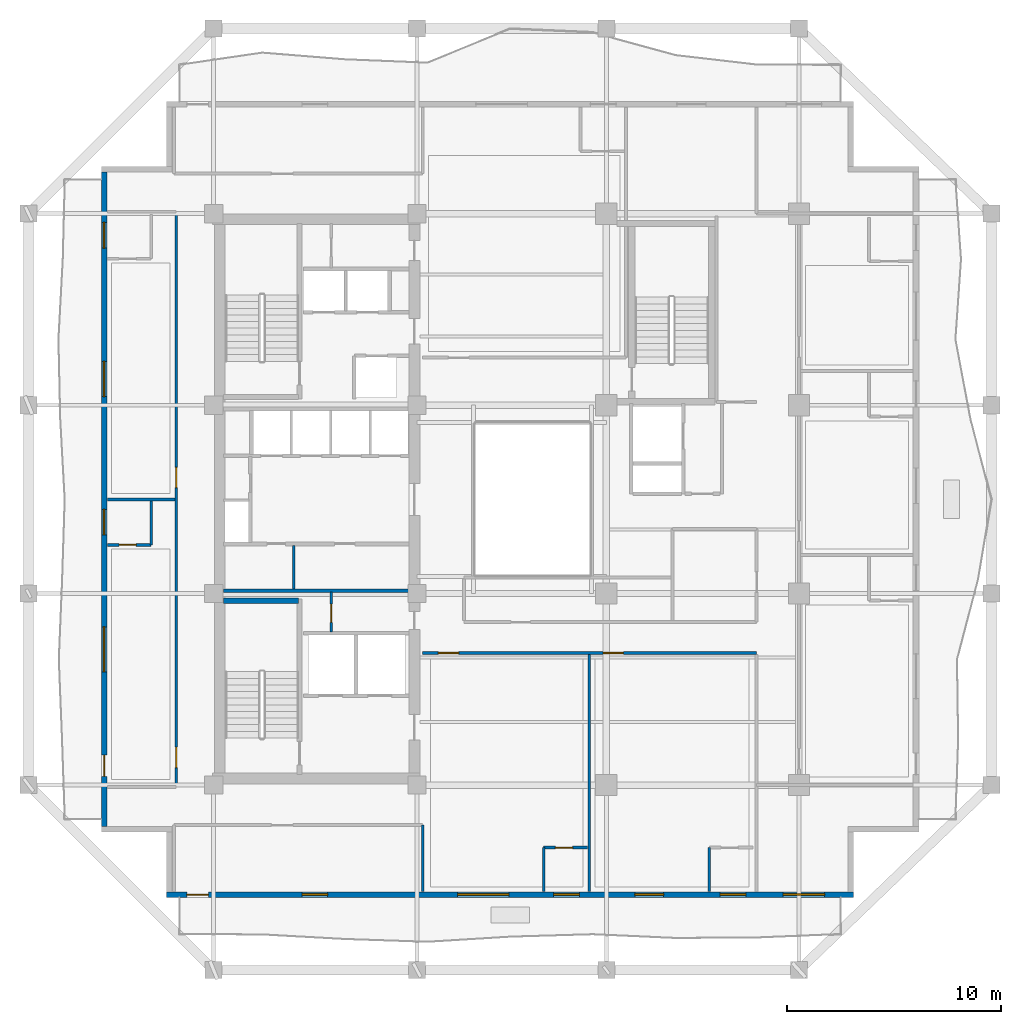
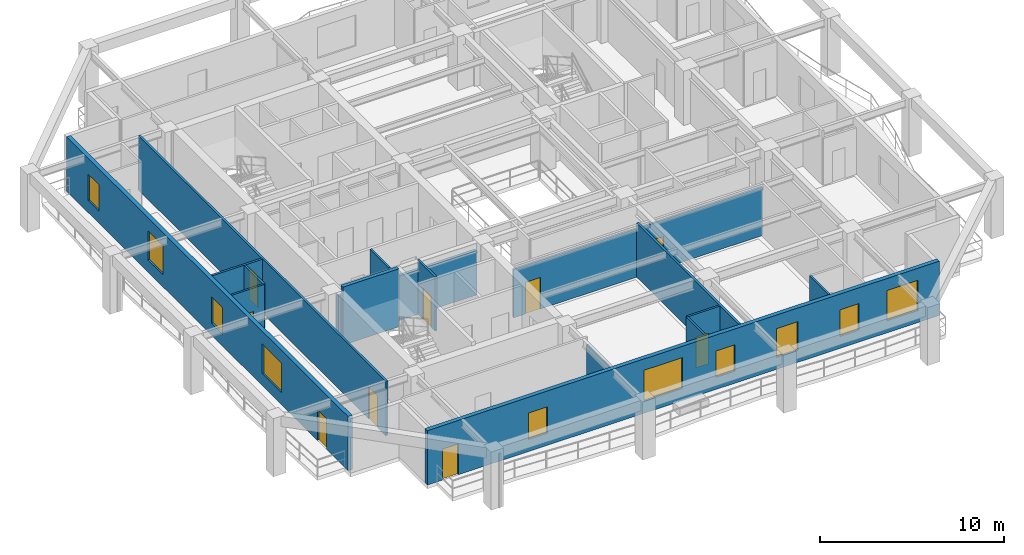
# One storey, part 3 of 11: 16 walls, 10 windows, 9 doors, 19 openings.
"""IFC4 building model written with IfcOpenShell, lengths in metres."""

from ifc_helpers import new_model, si_unit, direction, frame, frame_2d, origin, place, context, subcontext, project, spatial, rectangle, extrude, material, layer, layer_set, type_object, element, fill, save


model = new_model("IFC4")

# Units and contexts
model_context = context("Model", 3, precision=1e-05, world=origin(), true_north=direction((0.0, 1.0)))
body_context = subcontext(model_context, "Body", "Model", "MODEL_VIEW")
ifc_project = project(units=[si_unit("LENGTHUNIT", "METRE"), si_unit("AREAUNIT", "SQUARE_METRE"), si_unit("VOLUMEUNIT", "CUBIC_METRE"), si_unit("PLANEANGLEUNIT", "RADIAN"), si_unit("MASSUNIT", "GRAM", prefix="KILO")], contexts=[model_context])

# Site, building, storey
site_placement = place(None, origin())
site = spatial("IfcSite", under=ifc_project, at=site_placement, CompositionType="ELEMENT")
building_placement = place(site_placement, origin())
building = spatial("IfcBuilding", under=site, at=building_placement, Name="Kundavana Baori Tower", CompositionType="ELEMENT")
storey_placement = place(building_placement, frame((0.0, 0.0, 123.25)))
storey = spatial("IfcBuildingStorey", under=building, at=storey_placement, Name="L29", CompositionType="ELEMENT", Elevation=123.25)

# Wall
ifc_material_1 = material(Name="Concrete C50/60", Category="concrete")
ifc_layer_1 = layer(ifc_material_1, 0.39990234375, Name="WL-CORE-400")
ifc_layer_set_1 = layer_set([ifc_layer_1], Name="Concrete C50/60")
wall_type_1 = type_object("IfcWallType", Name="WL-CORE-400", PredefinedType="SHEAR", material=ifc_layer_set_1)
wall_1_placement = place(storey_placement, frame((15.89990234375, 23.860107421875, 0.0), z_axis=(0.0, 0.0, 1.0), x_axis=(1.0, 0.0, 0.0)))
element("IfcWall", 1, at=wall_1_placement, inside=storey, type_object=wall_type_1, Name="WL-L29-ST1-N", PredefinedType="SHEAR", context=body_context, shape_type="SweptSolid", body=[
    extrude(rectangle(XDim=3.52001953125, YDim=0.239990234375, at=frame_2d((1.760009765625, 0.0))), origin(), (0.0, 0.0, 1.0), 3.85009765625),
])

# Wall, openings, door, windows
ifc_material_2 = material(Name="Kiln-Fired Terracotta Brick-Slip Masonry on Concrete C40/50", Category="masonry")
ifc_layer_2 = layer(ifc_material_2, 0.260009765625, Name="WL-EXT-BRK-260")
ifc_layer_set_2 = layer_set([ifc_layer_2], Name="Kiln-Fired Terracotta Brick-Slip Masonry on Concrete C40/50")
wall_type_2 = type_object("IfcWallType", Name="WL-EXT-BRK-260", PredefinedType="SOLIDWALL", material=ifc_layer_set_2)
wall_2_placement = place(storey_placement, frame((13.25, 10.1298828125, 0.0), z_axis=(0.0, 0.0, 1.0), x_axis=(1.0, 0.0, 0.0)))
wall_2 = element("IfcWall", 2, at=wall_2_placement, inside=storey, type_object=wall_type_2, Name="L29 Exterior Insulated Facade Wall 01", PredefinedType="SOLIDWALL", context=body_context, shape_type="SweptSolid", body=[
    extrude(rectangle(XDim=32.10009765625, YDim=0.260009765625, at=frame_2d((16.050048828125, 0.0))), origin(), (0.0, 0.0, 1.0), 3.60009765625),
])
opening_1_placement = place(wall_2_placement, frame((0.949951171875, 0.0, 0.0)))
opening_1 = element("IfcOpeningElement", 3, at=opening_1_placement, cuts=wall_2, Name="Opening BD-1", PredefinedType="OPENING", context=body_context, shape_type="SweptSolid", body=[
    extrude(rectangle(XDim=1.0, YDim=2.050048828125, at=frame_2d((0.5, 1.02490234375))), frame((0.0, 0.14013671875, 0.0), z_axis=(0.0, -1.0, 0.0), x_axis=(1.0, 0.0, 0.0)), (0.0, 0.0, 1.0), 0.280029296875),
])
opening_2_placement = place(wall_2_placement, frame((6.330078125, 0.0, 0.800048828125)))
opening_2 = element("IfcOpeningElement", 4, at=opening_2_placement, cuts=wall_2, Name="Opening W-03", PredefinedType="OPENING", context=body_context, shape_type="SweptSolid", body=[
    extrude(rectangle(XDim=1.199951171875, YDim=1.75, at=frame_2d((0.60009765625, 0.875))), frame((0.0, 0.14013671875, 0.0), z_axis=(0.0, -1.0, 0.0), x_axis=(1.0, 0.0, 0.0)), (0.0, 0.0, 1.0), 0.280029296875),
])
opening_3_placement = place(wall_2_placement, frame((13.594970703125, 0.0, 0.800048828125)))
opening_3 = element("IfcOpeningElement", 5, at=opening_3_placement, cuts=wall_2, Name="Opening W-04", PredefinedType="OPENING", context=body_context, shape_type="SweptSolid", body=[
    extrude(rectangle(XDim=2.39990234375, YDim=2.050048828125, at=frame_2d((1.199951171875, 1.02490234375))), frame((0.0, 0.14013671875, 0.0), z_axis=(0.0, -1.0, 0.0), x_axis=(1.0, 0.0, 0.0)), (0.0, 0.0, 1.0), 0.280029296875),
])
opening_4_placement = place(wall_2_placement, frame((18.0849609375, 0.0, 0.800048828125)))
opening_4 = element("IfcOpeningElement", 6, at=opening_4_placement, cuts=wall_2, Name="Opening W-03", PredefinedType="OPENING", context=body_context, shape_type="SweptSolid", body=[
    extrude(rectangle(XDim=1.199951171875, YDim=1.75, at=frame_2d((0.60009765625, 0.875))), frame((0.0, 0.14013671875, 0.0), z_axis=(0.0, -1.0, 0.0), x_axis=(1.0, 0.0, 0.0)), (0.0, 0.0, 1.0), 0.280029296875),
])
opening_5_placement = place(wall_2_placement, frame((21.8798828125, 0.0, 0.800048828125)))
opening_5 = element("IfcOpeningElement", 7, at=opening_5_placement, cuts=wall_2, Name="Opening W-07", PredefinedType="OPENING", context=body_context, shape_type="SweptSolid", body=[
    extrude(rectangle(XDim=1.35009765625, YDim=1.89990234375, at=frame_2d((0.675048828125, 0.949951171875))), frame((0.0, 0.14013671875, 0.0), z_axis=(0.0, -1.0, 0.0), x_axis=(1.0, 0.0, 0.0)), (0.0, 0.0, 1.0), 0.280029296875),
])
opening_6_placement = place(wall_2_placement, frame((25.864990234375, 0.0, 0.800048828125)))
opening_6 = element("IfcOpeningElement", 8, at=opening_6_placement, cuts=wall_2, Name="Opening W-03", PredefinedType="OPENING", context=body_context, shape_type="SweptSolid", body=[
    extrude(rectangle(XDim=1.199951171875, YDim=1.75, at=frame_2d((0.60009765625, 0.875))), frame((0.0, 0.14013671875, 0.0), z_axis=(0.0, -1.0, 0.0), x_axis=(1.0, 0.0, 0.0)), (0.0, 0.0, 1.0), 0.280029296875),
])
opening_7_placement = place(wall_2_placement, frame((28.804931640625, 0.0, 0.800048828125)))
opening_7 = element("IfcOpeningElement", 9, at=opening_7_placement, cuts=wall_2, Name="Opening W-09", PredefinedType="OPENING", context=body_context, shape_type="SweptSolid", body=[
    extrude(rectangle(XDim=1.949951171875, YDim=2.0, at=frame_2d((0.97509765625, 1.0))), frame((0.0, 0.14013671875, 0.0), z_axis=(0.0, -1.0, 0.0), x_axis=(1.0, 0.0, 0.0)), (0.0, 0.0, 1.0), 0.280029296875),
])
ifc_material_3 = material(Name="Architectural Patinated Bronze Metalwork")
door_type_1 = type_object("IfcDoorType", Name="DR-EXT-LOG-1000", OperationType="NOTDEFINED", PredefinedType="DOOR", material=ifc_material_3)
door_1_placement = place(opening_1_placement, frame((1.0, 0.0, 0.0), z_axis=(0.0, 0.0, 1.0), x_axis=(-1.0, 0.0, 0.0)))
door_1 = element("IfcDoor", 10, at=door_1_placement, inside=storey, type_object=door_type_1, Name="L29 Loggia Balcony Access Door S", OperationType="SINGLE_SWING_LEFT", OverallHeight=2.050048828125, OverallWidth=1.0, PredefinedType="DOOR", context=body_context, shape_type="SweptSolid", body=[
    extrude(rectangle(XDim=1.0, YDim=2.050048828125, at=frame_2d((0.5, 1.02490234375))), frame((0.0, 0.02490234375, 0.0), z_axis=(0.0, -1.0, 0.0), x_axis=(1.0, 0.0, 0.0)), (0.0, 0.0, 1.0), 0.050048828125),
])
fill(opening_1, door_1)
ifc_material_4 = material(Name="Double-Glazed Solar-Control Low-E Insulated Glass", Category="glass")
window_type_1 = type_object("IfcWindowType", Name="WIN-LOG-1200x1750", PartitioningType="SINGLE_PANEL", PredefinedType="WINDOW", material=ifc_material_4)
window_1_placement = place(opening_2_placement, origin())
window_1 = element("IfcWindow", 11, at=window_1_placement, inside=storey, type_object=window_type_1, Name="L29 Recessed Loggia Window S-1", OverallHeight=1.75, OverallWidth=1.199951171875, PartitioningType="SINGLE_PANEL", PredefinedType="WINDOW", context=body_context, shape_type="SweptSolid", body=[
    extrude(rectangle(XDim=1.199951171875, YDim=1.75, at=frame_2d((0.60009765625, 0.875))), frame((0.0, 0.030029296875, 0.0), z_axis=(0.0, -1.0, 0.0), x_axis=(1.0, 0.0, 0.0)), (0.0, 0.0, 1.0), 0.06005859375),
])
fill(opening_2, window_1)
window_2_placement = place(opening_4_placement, origin())
window_2 = element("IfcWindow", 12, at=window_2_placement, inside=storey, type_object=window_type_1, Name="L29 Recessed Loggia Window S-3", OverallHeight=1.75, OverallWidth=1.199951171875, PartitioningType="SINGLE_PANEL", PredefinedType="WINDOW", context=body_context, shape_type="SweptSolid", body=[
    extrude(rectangle(XDim=1.199951171875, YDim=1.75, at=frame_2d((0.60009765625, 0.875))), frame((0.0, 0.030029296875, 0.0), z_axis=(0.0, -1.0, 0.0), x_axis=(1.0, 0.0, 0.0)), (0.0, 0.0, 1.0), 0.06005859375),
])
fill(opening_4, window_2)
window_3_placement = place(opening_6_placement, origin())
window_3 = element("IfcWindow", 13, at=window_3_placement, inside=storey, type_object=window_type_1, Name="L29 Recessed Loggia Window S-5", OverallHeight=1.75, OverallWidth=1.199951171875, PartitioningType="SINGLE_PANEL", PredefinedType="WINDOW", context=body_context, shape_type="SweptSolid", body=[
    extrude(rectangle(XDim=1.199951171875, YDim=1.75, at=frame_2d((0.60009765625, 0.875))), frame((0.0, 0.030029296875, 0.0), z_axis=(0.0, -1.0, 0.0), x_axis=(1.0, 0.0, 0.0)), (0.0, 0.0, 1.0), 0.06005859375),
])
fill(opening_6, window_3)
ifc_material_5 = material(Name="Double-Glazed Solar-Control Low-E Insulated Glass", Category="glass")
window_type_2 = type_object("IfcWindowType", Name="WIN-LOG-1350x1900", PartitioningType="SINGLE_PANEL", PredefinedType="WINDOW", material=ifc_material_5)
window_4_placement = place(opening_5_placement, origin())
window_4 = element("IfcWindow", 14, at=window_4_placement, inside=storey, type_object=window_type_2, Name="L29 Recessed Loggia Window S-4", OverallHeight=1.89990234375, OverallWidth=1.35009765625, PartitioningType="SINGLE_PANEL", PredefinedType="WINDOW", context=body_context, shape_type="SweptSolid", body=[
    extrude(rectangle(XDim=1.35009765625, YDim=1.89990234375, at=frame_2d((0.675048828125, 0.949951171875))), frame((0.0, 0.030029296875, 0.0), z_axis=(0.0, -1.0, 0.0), x_axis=(1.0, 0.0, 0.0)), (0.0, 0.0, 1.0), 0.06005859375),
])
fill(opening_5, window_4)
ifc_material_6 = material(Name="Double-Glazed Solar-Control Low-E Insulated Glass", Category="glass")
window_type_3 = type_object("IfcWindowType", Name="WIN-LOG-1950x2000", PartitioningType="SINGLE_PANEL", PredefinedType="WINDOW", material=ifc_material_6)
window_5_placement = place(opening_7_placement, origin())
window_5 = element("IfcWindow", 15, at=window_5_placement, inside=storey, type_object=window_type_3, Name="L29 Recessed Loggia Window S-6", OverallHeight=2.0, OverallWidth=1.949951171875, PartitioningType="SINGLE_PANEL", PredefinedType="WINDOW", context=body_context, shape_type="SweptSolid", body=[
    extrude(rectangle(XDim=1.949951171875, YDim=2.0, at=frame_2d((0.97509765625, 1.0))), frame((0.0, 0.030029296875, 0.0), z_axis=(0.0, -1.0, 0.0), x_axis=(1.0, 0.0, 0.0)), (0.0, 0.0, 1.0), 0.06005859375),
])
fill(opening_7, window_5)
ifc_material_7 = material(Name="Double-Glazed Solar-Control Low-E Insulated Glass", Category="glass")
window_type_4 = type_object("IfcWindowType", Name="WIN-LOG-2400x2050", PartitioningType="SINGLE_PANEL", PredefinedType="WINDOW", material=ifc_material_7)
window_6_placement = place(opening_3_placement, origin())
window_6 = element("IfcWindow", 16, at=window_6_placement, inside=storey, type_object=window_type_4, Name="L29 Recessed Loggia Window S-2", OverallHeight=2.050048828125, OverallWidth=2.39990234375, PartitioningType="SINGLE_PANEL", PredefinedType="WINDOW", context=body_context, shape_type="SweptSolid", body=[
    extrude(rectangle(XDim=2.39990234375, YDim=2.050048828125, at=frame_2d((1.199951171875, 1.02490234375))), frame((0.0, 0.030029296875, 0.0), z_axis=(0.0, -1.0, 0.0), x_axis=(1.0, 0.0, 0.0)), (0.0, 0.0, 1.0), 0.06005859375),
])
fill(opening_3, window_6)

wall_3_placement = place(storey_placement, frame((10.330078125, 43.889892578125, 0.0), z_axis=(0.0, 0.0, 1.0), x_axis=(0.0, -1.0, 0.0)))
wall_3 = element("IfcWall", 17, at=wall_3_placement, inside=storey, type_object=wall_type_2, Name="L29 Exterior Insulated Facade Wall 10", PredefinedType="SOLIDWALL", context=body_context, shape_type="SweptSolid", body=[
    extrude(rectangle(XDim=30.579833984375, YDim=0.260009765625, at=frame_2d((15.2900390625, 0.0))), origin(), (0.0, 0.0, 1.0), 3.60009765625),
])
opening_8_placement = place(wall_3_placement, frame((27.239990234375, 0.0, 0.0)))
opening_8 = element("IfcOpeningElement", 18, at=opening_8_placement, cuts=wall_3, Name="Opening BD-1", PredefinedType="OPENING", context=body_context, shape_type="SweptSolid", body=[
    extrude(rectangle(XDim=1.0, YDim=2.050048828125, at=frame_2d((0.5, 1.02490234375))), frame((0.0, 0.14013671875, 0.0), z_axis=(0.0, -1.0, 0.0), x_axis=(1.0, 0.0, 0.0)), (0.0, 0.0, 1.0), 0.280029296875),
])
opening_9_placement = place(wall_3_placement, frame((21.25, 0.0, 0.800048828125)))
opening_9 = element("IfcOpeningElement", 19, at=opening_9_placement, cuts=wall_3, Name="Opening W-05", PredefinedType="OPENING", context=body_context, shape_type="SweptSolid", body=[
    extrude(rectangle(XDim=2.10009765625, YDim=1.949951171875, at=frame_2d((1.050048828125, 0.97509765625))), frame((0.0, 0.14013671875, 0.0), z_axis=(0.0, -1.0, 0.0), x_axis=(1.0, 0.0, 0.0)), (0.0, 0.0, 1.0), 0.280029296875),
])
opening_10_placement = place(wall_3_placement, frame((15.7548828125, 0.0, 0.800048828125)))
opening_10 = element("IfcOpeningElement", 20, at=opening_10_placement, cuts=wall_3, Name="Opening W-03", PredefinedType="OPENING", context=body_context, shape_type="SweptSolid", body=[
    extrude(rectangle(XDim=1.199951171875, YDim=1.75, at=frame_2d((0.60009765625, 0.875))), frame((0.0, 0.14013671875, 0.0), z_axis=(0.0, -1.0, 0.0), x_axis=(1.0, 0.0, 0.0)), (0.0, 0.0, 1.0), 0.280029296875),
])
opening_11_placement = place(wall_3_placement, frame((8.840087890625, 0.0, 0.800048828125)))
opening_11 = element("IfcOpeningElement", 21, at=opening_11_placement, cuts=wall_3, Name="Opening W-08", PredefinedType="OPENING", context=body_context, shape_type="SweptSolid", body=[
    extrude(rectangle(XDim=1.64990234375, YDim=1.949951171875, at=frame_2d((0.824951171875, 0.97509765625))), frame((0.0, 0.14013671875, 0.0), z_axis=(0.0, -1.0, 0.0), x_axis=(1.0, 0.0, 0.0)), (0.0, 0.0, 1.0), 0.280029296875),
])
opening_12_placement = place(wall_3_placement, frame((2.344970703125, 0.0, 0.800048828125)))
opening_12 = element("IfcOpeningElement", 22, at=opening_12_placement, cuts=wall_3, Name="Opening W-03", PredefinedType="OPENING", context=body_context, shape_type="SweptSolid", body=[
    extrude(rectangle(XDim=1.199951171875, YDim=1.75, at=frame_2d((0.60009765625, 0.875))), frame((0.0, 0.14013671875, 0.0), z_axis=(0.0, -1.0, 0.0), x_axis=(1.0, 0.0, 0.0)), (0.0, 0.0, 1.0), 0.280029296875),
])
door_2_placement = place(opening_8_placement, frame((1.0, 0.0, 0.0), z_axis=(0.0, 0.0, 1.0), x_axis=(-1.0, 0.0, 0.0)))
door_2 = element("IfcDoor", 23, at=door_2_placement, inside=storey, type_object=door_type_1, Name="L29 Loggia Balcony Access Door W", OperationType="SINGLE_SWING_RIGHT", OverallHeight=2.050048828125, OverallWidth=1.0, PredefinedType="DOOR", context=body_context, shape_type="SweptSolid", body=[
    extrude(rectangle(XDim=1.0, YDim=2.050048828125, at=frame_2d((0.5, 1.02490234375))), frame((0.0, 0.02490234375, 0.0), z_axis=(0.0, -1.0, 0.0), x_axis=(1.0, 0.0, 0.0)), (0.0, 0.0, 1.0), 0.050048828125),
])
fill(opening_8, door_2)
window_7_placement = place(opening_10_placement, origin())
window_7 = element("IfcWindow", 24, at=window_7_placement, inside=storey, type_object=window_type_1, Name="L29 Recessed Loggia Window W-2", OverallHeight=1.75, OverallWidth=1.199951171875, PartitioningType="SINGLE_PANEL", PredefinedType="WINDOW", context=body_context, shape_type="SweptSolid", body=[
    extrude(rectangle(XDim=1.199951171875, YDim=1.75, at=frame_2d((0.60009765625, 0.875))), frame((0.0, 0.030029296875, 0.0), z_axis=(0.0, -1.0, 0.0), x_axis=(1.0, 0.0, 0.0)), (0.0, 0.0, 1.0), 0.06005859375),
])
fill(opening_10, window_7)
window_8_placement = place(opening_12_placement, origin())
window_8 = element("IfcWindow", 25, at=window_8_placement, inside=storey, type_object=window_type_1, Name="L29 Recessed Loggia Window W-4", OverallHeight=1.75, OverallWidth=1.199951171875, PartitioningType="SINGLE_PANEL", PredefinedType="WINDOW", context=body_context, shape_type="SweptSolid", body=[
    extrude(rectangle(XDim=1.199951171875, YDim=1.75, at=frame_2d((0.60009765625, 0.875))), frame((0.0, 0.030029296875, 0.0), z_axis=(0.0, -1.0, 0.0), x_axis=(1.0, 0.0, 0.0)), (0.0, 0.0, 1.0), 0.06005859375),
])
fill(opening_12, window_8)
ifc_material_8 = material(Name="Double-Glazed Solar-Control Low-E Insulated Glass", Category="glass")
window_type_5 = type_object("IfcWindowType", Name="WIN-LOG-1650x1950", PartitioningType="SINGLE_PANEL", PredefinedType="WINDOW", material=ifc_material_8)
window_9_placement = place(opening_11_placement, origin())
window_9 = element("IfcWindow", 26, at=window_9_placement, inside=storey, type_object=window_type_5, Name="L29 Recessed Loggia Window W-3", OverallHeight=1.949951171875, OverallWidth=1.64990234375, PartitioningType="SINGLE_PANEL", PredefinedType="WINDOW", context=body_context, shape_type="SweptSolid", body=[
    extrude(rectangle(XDim=1.64990234375, YDim=1.949951171875, at=frame_2d((0.824951171875, 0.97509765625))), frame((0.0, 0.030029296875, 0.0), z_axis=(0.0, -1.0, 0.0), x_axis=(1.0, 0.0, 0.0)), (0.0, 0.0, 1.0), 0.06005859375),
])
fill(opening_11, window_9)
ifc_material_9 = material(Name="Double-Glazed Solar-Control Low-E Insulated Glass", Category="glass")
window_type_6 = type_object("IfcWindowType", Name="WIN-LOG-2100x1950", PartitioningType="SINGLE_PANEL", PredefinedType="WINDOW", material=ifc_material_9)
window_10_placement = place(opening_9_placement, origin())
window_10 = element("IfcWindow", 27, at=window_10_placement, inside=storey, type_object=window_type_6, Name="L29 Recessed Loggia Window W-1", OverallHeight=1.949951171875, OverallWidth=2.10009765625, PartitioningType="SINGLE_PANEL", PredefinedType="WINDOW", context=body_context, shape_type="SweptSolid", body=[
    extrude(rectangle(XDim=2.10009765625, YDim=1.949951171875, at=frame_2d((1.050048828125, 0.97509765625))), frame((0.0, 0.030029296875, 0.0), z_axis=(0.0, -1.0, 0.0), x_axis=(1.0, 0.0, 0.0)), (0.0, 0.0, 1.0), 0.06005859375),
])
fill(opening_9, window_10)

# Wall, opening, door
ifc_material_10 = material(Name="Acoustic Gypsum Plasterboard on Galvanised Steel Studs", Category="steel")
ifc_layer_3 = layer(ifc_material_10, 0.1201171875, Name="WL-PART-120")
ifc_layer_set_3 = layer_set([ifc_layer_3], Name="Acoustic Gypsum Plasterboard on Galvanised Steel Studs")
wall_type_3 = type_object("IfcWallType", Name="WL-PART-120", PredefinedType="PARTITIONING", material=ifc_layer_set_3)
wall_4_placement = place(storey_placement, frame((20.949951171875, 22.39990234375, 0.0), z_axis=(0.0, 0.0, 1.0), x_axis=(0.0, 1.0, 0.0)))
wall_4 = element("IfcWall", 28, at=wall_4_placement, inside=storey, type_object=wall_type_3, Name="WL-L29-CSMK-D2", PredefinedType="PARTITIONING", context=body_context, shape_type="SweptSolid", body=[
    extrude(rectangle(XDim=1.880126953125, YDim=0.1201171875, at=frame_2d((0.93994140625, 0.0))), origin(), (0.0, 0.0, 1.0), 3.60009765625),
])
opening_13_placement = place(wall_4_placement, frame((0.449951171875, 0.0, 0.0)))
opening_13 = element("IfcOpeningElement", 29, at=opening_13_placement, cuts=wall_4, Name="Opening FD-085", PredefinedType="OPENING", context=body_context, shape_type="SweptSolid", body=[
    extrude(rectangle(XDim=0.85009765625, YDim=2.06005859375, at=frame_2d((0.425048828125, 1.030029296875))), frame((0.0, 0.070068359375, 0.0), z_axis=(0.0, -1.0, 0.0), x_axis=(1.0, 0.0, 0.0)), (0.0, 0.0, 1.0), 0.14013671875),
])
ifc_material_11 = material(Name="Galvanised Steel Fire-Rated Door Leaf", Category="steel")
door_type_2 = type_object("IfcDoorType", Name="DR-FD60-850", OperationType="NOTDEFINED", PredefinedType="DOOR", material=ifc_material_11)
door_3_placement = place(opening_13_placement, origin())
door_3 = element("IfcDoor", 30, at=door_3_placement, inside=storey, type_object=door_type_2, Name="DR-L29-CSMK1", OperationType="SINGLE_SWING_RIGHT", OverallHeight=2.06005859375, OverallWidth=0.85009765625, PredefinedType="DOOR", context=body_context, shape_type="SweptSolid", body=[
    extrude(rectangle(XDim=0.85009765625, YDim=2.06005859375, at=frame_2d((0.425048828125, 1.030029296875))), frame((0.0, 0.02490234375, 0.0), z_axis=(0.0, -1.0, 0.0), x_axis=(1.0, 0.0, 0.0)), (0.0, 0.0, 1.0), 0.050048828125),
])
fill(opening_13, door_3)

# Wall
wall_5_placement = place(storey_placement, frame((19.199951171875, 24.419921875, 0.0), z_axis=(0.0, 0.0, 1.0), x_axis=(0.0, 1.0, 0.0)))
element("IfcWall", 31, at=wall_5_placement, inside=storey, type_object=wall_type_3, Name="WL-L29-FRLOW-DIV", PredefinedType="PARTITIONING", context=body_context, shape_type="SweptSolid", body=[
    extrude(rectangle(XDim=2.02001953125, YDim=0.1201171875, at=frame_2d((1.010009765625, 0.0))), origin(), (0.0, 0.0, 1.0), 3.60009765625),
])

# Wall, openings, doors
ifc_material_12 = material(Name="Acoustic Gypsum Plasterboard on Galvanised Steel Studs", Category="steel")
ifc_layer_4 = layer(ifc_material_12, 0.135009765625, Name="WL-PART-135")
ifc_layer_set_4 = layer_set([ifc_layer_4], Name="Acoustic Gypsum Plasterboard on Galvanised Steel Studs")
wall_type_4 = type_object("IfcWallType", Name="WL-PART-135", PredefinedType="PARTITIONING", material=ifc_layer_set_4)
wall_6_placement = place(storey_placement, frame((25.219970703125, 21.419921875, 0.0), z_axis=(0.0, 0.0, 1.0), x_axis=(1.0, 0.0, 0.0)))
wall_6 = element("IfcWall", 32, at=wall_6_placement, inside=storey, type_object=wall_type_4, Name="WL-L29-HS", PredefinedType="PARTITIONING", context=body_context, shape_type="SweptSolid", body=[
    extrude(rectangle(XDim=15.60009765625, YDim=0.135009765625, at=frame_2d((7.800048828125, 0.0))), origin(), (0.0, 0.0, 1.0), 3.199951171875),
])
opening_14_placement = place(wall_6_placement, frame((0.72998046875, 0.0, 0.0)))
opening_14 = element("IfcOpeningElement", 33, at=opening_14_placement, cuts=wall_6, Name="Opening FD-095", PredefinedType="OPENING", context=body_context, shape_type="SweptSolid", body=[
    extrude(rectangle(XDim=0.949951171875, YDim=2.10009765625, at=frame_2d((0.47509765625, 1.050048828125))), frame((0.0, 0.07763671875, 0.0), z_axis=(0.0, -1.0, 0.0), x_axis=(1.0, 0.0, 0.0)), (0.0, 0.0, 1.0), 0.155029296875),
])
opening_15_placement = place(wall_6_placement, frame((8.429931640625, 0.0, 0.0)))
opening_15 = element("IfcOpeningElement", 34, at=opening_15_placement, cuts=wall_6, Name="Opening FD-095", PredefinedType="OPENING", context=body_context, shape_type="SweptSolid", body=[
    extrude(rectangle(XDim=0.949951171875, YDim=2.10009765625, at=frame_2d((0.47509765625, 1.050048828125))), frame((0.0, 0.07763671875, 0.0), z_axis=(0.0, -1.0, 0.0), x_axis=(1.0, 0.0, 0.0)), (0.0, 0.0, 1.0), 0.155029296875),
])
ifc_material_13 = material(Name="Engineered Teak Fire-Rated Timber Door Leaf", Category="wood")
door_type_3 = type_object("IfcDoorType", Name="DR-FD60-950", OperationType="NOTDEFINED", PredefinedType="DOOR", material=ifc_material_13)
door_4_placement = place(opening_14_placement, frame((0.949951171875, 0.0, 0.0), z_axis=(0.0, 0.0, 1.0), x_axis=(-1.0, 0.0, 0.0)))
door_4 = element("IfcDoor", 35, at=door_4_placement, inside=storey, type_object=door_type_3, Name="DR-L29-HK-S1-ENT", OperationType="SINGLE_SWING_RIGHT", OverallHeight=2.10009765625, OverallWidth=0.949951171875, PredefinedType="DOOR", context=body_context, shape_type="SweptSolid", body=[
    extrude(rectangle(XDim=0.949951171875, YDim=2.10009765625, at=frame_2d((0.47509765625, 1.050048828125))), frame((0.0, 0.02490234375, 0.0), z_axis=(0.0, -1.0, 0.0), x_axis=(1.0, 0.0, 0.0)), (0.0, 0.0, 1.0), 0.050048828125),
])
fill(opening_14, door_4)
door_5_placement = place(opening_15_placement, frame((0.949951171875, 0.0, 0.0), z_axis=(0.0, 0.0, 1.0), x_axis=(-1.0, 0.0, 0.0)))
door_5 = element("IfcDoor", 36, at=door_5_placement, inside=storey, type_object=door_type_3, Name="DR-L29-HK-S2-ENT", OperationType="SINGLE_SWING_RIGHT", OverallHeight=2.10009765625, OverallWidth=0.949951171875, PredefinedType="DOOR", context=body_context, shape_type="SweptSolid", body=[
    extrude(rectangle(XDim=0.949951171875, YDim=2.10009765625, at=frame_2d((0.47509765625, 1.050048828125))), frame((0.0, 0.02490234375, 0.0), z_axis=(0.0, -1.0, 0.0), x_axis=(1.0, 0.0, 0.0)), (0.0, 0.0, 1.0), 0.050048828125),
])
fill(opening_15, door_5)

wall_7_placement = place(storey_placement, frame((13.699951171875, 15.159912109375, 0.0), z_axis=(0.0, 0.0, 1.0), x_axis=(0.0, 1.0, 0.0)))
wall_7 = element("IfcWall", 37, at=wall_7_placement, inside=storey, type_object=wall_type_4, Name="WL-L29-HW", PredefinedType="PARTITIONING", context=body_context, shape_type="SweptSolid", body=[
    extrude(rectangle(XDim=26.880126953125, YDim=0.135009765625, at=frame_2d((13.43994140625, 0.0))), origin(), (0.0, 0.0, 1.0), 3.60009765625),
])
opening_16_placement = place(wall_7_placement, frame((0.909912109375, 0.0, 0.0)))
opening_16 = element("IfcOpeningElement", 38, at=opening_16_placement, cuts=wall_7, Name="Opening FD-095", PredefinedType="OPENING", context=body_context, shape_type="SweptSolid", body=[
    extrude(rectangle(XDim=0.949951171875, YDim=2.10009765625, at=frame_2d((0.47509765625, 1.050048828125))), frame((0.0, 0.07763671875, 0.0), z_axis=(0.0, -1.0, 0.0), x_axis=(1.0, 0.0, 0.0)), (0.0, 0.0, 1.0), 0.155029296875),
])
opening_17_placement = place(wall_7_placement, frame((13.989990234375, 0.0, 0.0)))
opening_17 = element("IfcOpeningElement", 39, at=opening_17_placement, cuts=wall_7, Name="Opening FD-095", PredefinedType="OPENING", context=body_context, shape_type="SweptSolid", body=[
    extrude(rectangle(XDim=0.949951171875, YDim=2.10009765625, at=frame_2d((0.47509765625, 1.050048828125))), frame((0.0, 0.07763671875, 0.0), z_axis=(0.0, -1.0, 0.0), x_axis=(1.0, 0.0, 0.0)), (0.0, 0.0, 1.0), 0.155029296875),
])
door_6_placement = place(opening_16_placement, origin())
door_6 = element("IfcDoor", 40, at=door_6_placement, inside=storey, type_object=door_type_3, Name="DR-L29-HK-W1-ENT", OperationType="SINGLE_SWING_LEFT", OverallHeight=2.10009765625, OverallWidth=0.949951171875, PredefinedType="DOOR", context=body_context, shape_type="SweptSolid", body=[
    extrude(rectangle(XDim=0.949951171875, YDim=2.10009765625, at=frame_2d((0.47509765625, 1.050048828125))), frame((0.0, 0.02490234375, 0.0), z_axis=(0.0, -1.0, 0.0), x_axis=(1.0, 0.0, 0.0)), (0.0, 0.0, 1.0), 0.050048828125),
])
fill(opening_16, door_6)
door_7_placement = place(opening_17_placement, origin())
door_7 = element("IfcDoor", 41, at=door_7_placement, inside=storey, type_object=door_type_3, Name="DR-L29-HK-W2-ENT", OperationType="SINGLE_SWING_LEFT", OverallHeight=2.10009765625, OverallWidth=0.949951171875, PredefinedType="DOOR", context=body_context, shape_type="SweptSolid", body=[
    extrude(rectangle(XDim=0.949951171875, YDim=2.10009765625, at=frame_2d((0.47509765625, 1.050048828125))), frame((0.0, 0.02490234375, 0.0), z_axis=(0.0, -1.0, 0.0), x_axis=(1.0, 0.0, 0.0)), (0.0, 0.0, 1.0), 0.050048828125),
])
fill(opening_17, door_7)

# Walls
wall_8_placement = place(storey_placement, frame((25.219970703125, 10.280029296875, 0.0), z_axis=(0.0, 0.0, 1.0), x_axis=(0.0, 1.0, 0.0)))
element("IfcWall", 42, at=wall_8_placement, inside=storey, type_object=wall_type_4, Name="WL-L29-HSCE", PredefinedType="PARTITIONING", context=body_context, shape_type="SweptSolid", body=[
    extrude(rectangle(XDim=3.099853515625, YDim=0.135009765625, at=frame_2d((1.5498046875, 0.0))), origin(), (0.0, 0.0, 1.0), 3.10009765625),
])
wall_9_placement = place(storey_placement, frame((10.47998046875, 28.60009765625, 0.0), z_axis=(0.0, 0.0, 1.0), x_axis=(1.0, 0.0, 0.0)))
element("IfcWall", 43, at=wall_9_placement, inside=storey, type_object=wall_type_4, Name="WL-L29-HWD1", PredefinedType="PARTITIONING", context=body_context, shape_type="SweptSolid", body=[
    extrude(rectangle(XDim=3.159912109375, YDim=0.135009765625, at=frame_2d((1.580078125, 0.0))), origin(), (0.0, 0.0, 1.0), 3.60009765625),
])
wall_10_placement = place(storey_placement, frame((33.0, 10.280029296875, 0.0), z_axis=(0.0, 0.0, 1.0), x_axis=(0.0, 1.0, 0.0)))
element("IfcWall", 44, at=wall_10_placement, inside=storey, type_object=wall_type_4, Name="WL-L29-HSD1", PredefinedType="PARTITIONING", context=body_context, shape_type="SweptSolid", body=[
    extrude(rectangle(XDim=11.080078125, YDim=0.135009765625, at=frame_2d((5.5400390625, 0.0))), origin(), (0.0, 0.0, 1.0), 3.60009765625),
])
ifc_material_14 = material(Name="Autoclaved Aerated Concrete Blockwork Masonry", Category="masonry")
ifc_layer_5 = layer(ifc_material_14, 0.179931640625, Name="WL-SHAFT-180")
ifc_layer_set_5 = layer_set([ifc_layer_5], Name="Autoclaved Aerated Concrete Blockwork Masonry")
wall_type_5 = type_object("IfcWallType", Name="WL-SHAFT-180", PredefinedType="SOLIDWALL", material=ifc_layer_set_5)
wall_11_placement = place(storey_placement, frame((15.89990234375, 24.330078125, 0.0), z_axis=(0.0, 0.0, 1.0), x_axis=(1.0, 0.0, 0.0)))
element("IfcWall", 45, at=wall_11_placement, inside=storey, type_object=wall_type_5, Name="WL-L29-LPLOW-S", PredefinedType="SOLIDWALL", context=body_context, shape_type="SweptSolid", body=[
    extrude(rectangle(XDim=8.68017578125, YDim=0.179931640625, at=frame_2d((4.340087890625, 0.0))), origin(), (0.0, 0.0, 1.0), 2.949951171875),
])
ifc_material_15 = material(Name="Autoclaved Aerated Concrete Blockwork Masonry", Category="masonry")
ifc_layer_6 = layer(ifc_material_15, 0.125, Name="WL-WET-120")
ifc_layer_set_6 = layer_set([ifc_layer_6], Name="Autoclaved Aerated Concrete Blockwork Masonry")
wall_type_6 = type_object("IfcWallType", Name="WL-WET-120", PredefinedType="PLUMBINGWALL", material=ifc_layer_set_6)
wall_12_placement = place(storey_placement, frame((12.530029296875, 26.469970703125, 0.0), z_axis=(0.0, 0.0, 1.0), x_axis=(0.0, 1.0, 0.0)))
element("IfcWall", 46, at=wall_12_placement, inside=storey, type_object=wall_type_6, Name="WL-L29-HK-W1-BE", PredefinedType="PLUMBINGWALL", context=body_context, shape_type="SweptSolid", body=[
    extrude(rectangle(XDim=2.050048828125, YDim=0.125, at=frame_2d((1.02490234375, 0.0))), origin(), (0.0, 0.0, 1.0), 3.60009765625),
])

# Wall, opening, door
wall_13_placement = place(storey_placement, frame((10.47998046875, 26.469970703125, 0.0), z_axis=(0.0, 0.0, 1.0), x_axis=(1.0, 0.0, 0.0)))
wall_13 = element("IfcWall", 47, at=wall_13_placement, inside=storey, type_object=wall_type_6, Name="WL-L29-HK-W1-BS", PredefinedType="PLUMBINGWALL", context=body_context, shape_type="SweptSolid", body=[
    extrude(rectangle(XDim=2.050048828125, YDim=0.125, at=frame_2d((1.02490234375, 0.0))), origin(), (0.0, 0.0, 1.0), 3.60009765625),
])
opening_18_placement = place(wall_13_placement, frame((0.550048828125, 0.0, 0.0)))
opening_18 = element("IfcOpeningElement", 48, at=opening_18_placement, cuts=wall_13, Name="Opening WD-080", PredefinedType="OPENING", context=body_context, shape_type="SweptSolid", body=[
    extrude(rectangle(XDim=0.800048828125, YDim=2.050048828125, at=frame_2d((0.39990234375, 1.02490234375))), frame((0.0, 0.072509765625, 0.0), z_axis=(0.0, -1.0, 0.0), x_axis=(1.0, 0.0, 0.0)), (0.0, 0.0, 1.0), 0.14501953125),
])
ifc_material_16 = material(Name="Engineered Teak Solid-Core Timber Veneer", Category="wood")
door_type_4 = type_object("IfcDoorType", Name="DR-WET-800", OperationType="NOTDEFINED", PredefinedType="DOOR", material=ifc_material_16)
door_8_placement = place(opening_18_placement, frame((0.800048828125, 0.0, 0.0), z_axis=(0.0, 0.0, 1.0), x_axis=(-1.0, 0.0, 0.0)))
door_8 = element("IfcDoor", 49, at=door_8_placement, inside=storey, type_object=door_type_4, Name="DR-L29-HK-W1-ENS", OperationType="SINGLE_SWING_LEFT", OverallHeight=2.050048828125, OverallWidth=0.800048828125, PredefinedType="DOOR", context=body_context, shape_type="SweptSolid", body=[
    extrude(rectangle(XDim=0.800048828125, YDim=2.050048828125, at=frame_2d((0.39990234375, 1.02490234375))), frame((0.0, 0.02490234375, 0.0), z_axis=(0.0, -1.0, 0.0), x_axis=(1.0, 0.0, 0.0)), (0.0, 0.0, 1.0), 0.050048828125),
])
fill(opening_18, door_8)

# Wall
wall_14_placement = place(storey_placement, frame((30.8701171875, 10.280029296875, 0.0), z_axis=(0.0, 0.0, 1.0), x_axis=(0.0, 1.0, 0.0)))
element("IfcWall", 50, at=wall_14_placement, inside=storey, type_object=wall_type_6, Name="WL-L29-HK-S1-BW", PredefinedType="PLUMBINGWALL", context=body_context, shape_type="SweptSolid", body=[
    extrude(rectangle(XDim=2.050048828125, YDim=0.125, at=frame_2d((1.02490234375, 0.0))), origin(), (0.0, 0.0, 1.0), 3.60009765625),
])

# Wall, opening, door
wall_15_placement = place(storey_placement, frame((30.8701171875, 12.330078125, 0.0), z_axis=(0.0, 0.0, 1.0), x_axis=(1.0, 0.0, 0.0)))
wall_15 = element("IfcWall", 51, at=wall_15_placement, inside=storey, type_object=wall_type_6, Name="WL-L29-HK-S1-BN", PredefinedType="PLUMBINGWALL", context=body_context, shape_type="SweptSolid", body=[
    extrude(rectangle(XDim=2.0498046875, YDim=0.125, at=frame_2d((1.02490234375, 0.0))), origin(), (0.0, 0.0, 1.0), 3.60009765625),
])
opening_19_placement = place(wall_15_placement, frame((0.550048828125, 0.0, 0.0)))
opening_19 = element("IfcOpeningElement", 52, at=opening_19_placement, cuts=wall_15, Name="Opening WD-080", PredefinedType="OPENING", context=body_context, shape_type="SweptSolid", body=[
    extrude(rectangle(XDim=0.800048828125, YDim=2.050048828125, at=frame_2d((0.39990234375, 1.02490234375))), frame((0.0, 0.072509765625, 0.0), z_axis=(0.0, -1.0, 0.0), x_axis=(1.0, 0.0, 0.0)), (0.0, 0.0, 1.0), 0.14501953125),
])
door_9_placement = place(opening_19_placement, origin())
door_9 = element("IfcDoor", 53, at=door_9_placement, inside=storey, type_object=door_type_4, Name="DR-L29-HK-S1-ENS", OperationType="SINGLE_SWING_LEFT", OverallHeight=2.050048828125, OverallWidth=0.800048828125, PredefinedType="DOOR", context=body_context, shape_type="SweptSolid", body=[
    extrude(rectangle(XDim=0.800048828125, YDim=2.050048828125, at=frame_2d((0.39990234375, 1.02490234375))), frame((0.0, 0.02490234375, 0.0), z_axis=(0.0, -1.0, 0.0), x_axis=(1.0, 0.0, 0.0)), (0.0, 0.0, 1.0), 0.050048828125),
])
fill(opening_19, door_9)

# Wall
wall_16_placement = place(storey_placement, frame((38.610107421875, 10.280029296875, 0.0), z_axis=(0.0, 0.0, 1.0), x_axis=(0.0, 1.0, 0.0)))
element("IfcWall", 54, at=wall_16_placement, inside=storey, type_object=wall_type_6, Name="WL-L29-HK-S2-BW", PredefinedType="PLUMBINGWALL", context=body_context, shape_type="SweptSolid", body=[
    extrude(rectangle(XDim=2.050048828125, YDim=0.125, at=frame_2d((1.02490234375, 0.0))), origin(), (0.0, 0.0, 1.0), 3.60009765625),
])

save(model, "model.ifc")
